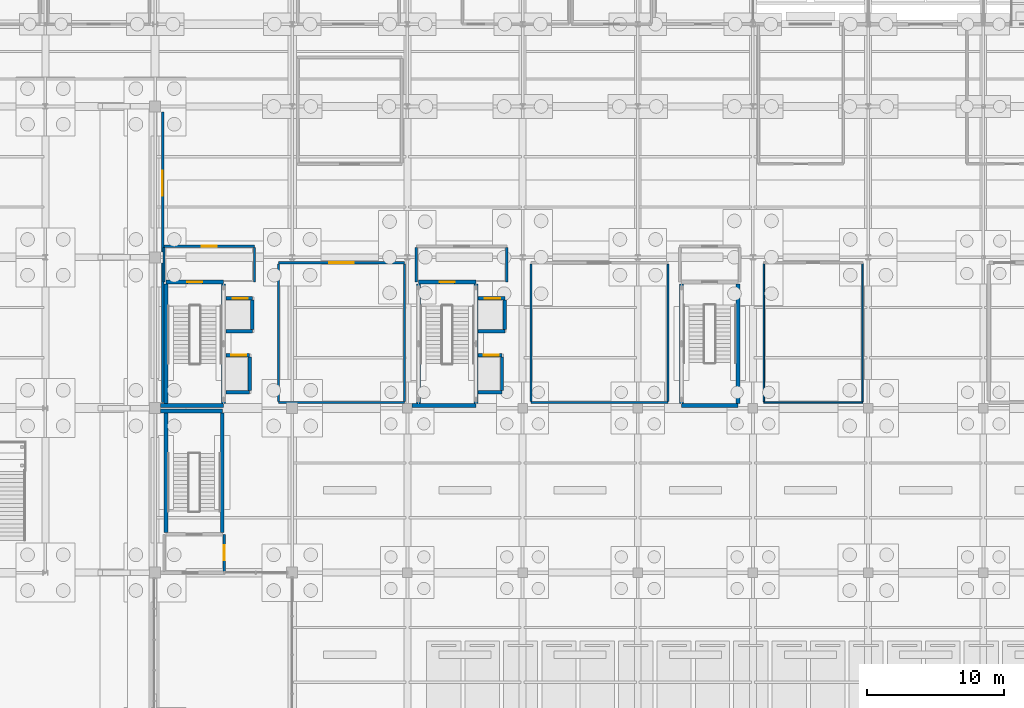
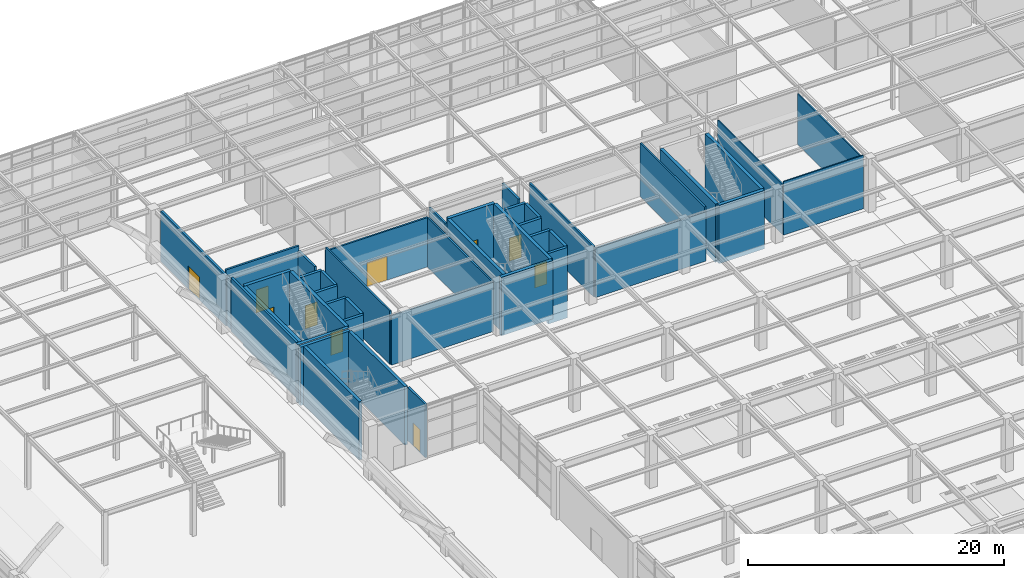
# One storey, part 105 of 129: 44 walls, 10 doors, 10 openings.
"""IFC4 building model written with IfcOpenShell, lengths in metres."""

import ifcopenshell
import ifcopenshell.guid

model = None  # the IFC model being written
_history = None  # IfcOwnerHistory: only IFC2X3 demands one
_inside = {}  # id of a spatial element -> (the spatial element, [elements in it])
_under = {}  # id of a project, library or spatial element -> (it, [spatial elements below it])
_declared = {}  # id of a project -> (the project, [libraries it declares])
_typed = {}  # id of a type object -> (the type object, [elements of that type])
_made_of = {}  # id of a material, layer set ... -> (it, [elements and type objects made of it])


def new_model(schema):
    """Start an empty IFC model of exactly this schema.

    Asked for "IFC4X3", IfcOpenShell would pick the latest addendum, in which some entities
    have other attributes; the version numbers below select the first issue.
    IFC2X3 requires an IfcOwnerHistory on every rooted entity: one is made here for all.
    """
    global model, _history
    if schema == "IFC4X3":
        model = ifcopenshell.file(schema_version=(4, 3, 0, 0))
    else:
        model = ifcopenshell.file(schema=schema)
    _inside.clear()
    _under.clear()
    _declared.clear()
    _typed.clear()
    _made_of.clear()
    _history = None
    if model.schema == "IFC2X3":
        org = make("IfcOrganization", Name="unknown")
        user = make(
            "IfcPersonAndOrganization",
            ThePerson=make("IfcPerson", FamilyName="unknown"),
            TheOrganization=org,
        )
        app = make(
            "IfcApplication",
            ApplicationDeveloper=org,
            Version="unknown",
            ApplicationFullName="unknown",
            ApplicationIdentifier="unknown",
        )
        _history = make(
            "IfcOwnerHistory",
            OwningUser=user,
            OwningApplication=app,
            ChangeAction="ADDED",
            CreationDate=0,
        )
    return model


def make(cls, **values):
    """One entity of the class cls with the attributes given. An attribute that is None is left unset."""
    return model.create_entity(
        cls, **{name: value for name, value in values.items() if value is not None}
    )


def rooted(cls, **values):
    """An entity with a GlobalId (a new one), such as an element, a storey or a relation."""
    return make(cls, GlobalId=ifcopenshell.guid.new(), OwnerHistory=_history, **values)


def si_unit(unit_type, name, prefix=None):
    """IfcSIUnit, for example si_unit("LENGTHUNIT", "METRE", prefix="MILLI")."""
    return make("IfcSIUnit", UnitType=unit_type, Prefix=prefix, Name=name)


def assignment(units):
    """IfcUnitAssignment: the units of a project."""
    return None if units is None else make("IfcUnitAssignment", Units=units)


def point(xyz):
    """IfcCartesianPoint."""
    return None if xyz is None else make("IfcCartesianPoint", Coordinates=xyz)


def direction(xyz):
    """IfcDirection."""
    return None if xyz is None else make("IfcDirection", DirectionRatios=xyz)


def frame(location, z_axis=None, x_axis=None):
    """IfcAxis2Placement3D, a coordinate frame: its origin and axes. An axis left out is left unset."""
    return make(
        "IfcAxis2Placement3D",
        Location=point(location),
        Axis=direction(z_axis),
        RefDirection=direction(x_axis),
    )


def frame_2d(location, x_axis=None):
    """IfcAxis2Placement2D, a coordinate frame in the plane: its origin and x axis."""
    return make(
        "IfcAxis2Placement2D", Location=point(location), RefDirection=direction(x_axis)
    )


def origin():
    """The frame at (0, 0, 0) with its axes left unset."""
    return frame((0.0, 0.0, 0.0))


def place(relative_to, where):
    """IfcLocalPlacement: puts the frame where relative to a parent placement (None: the world)."""
    return make(
        "IfcLocalPlacement", PlacementRelTo=relative_to, RelativePlacement=where
    )


def context(
    kind, dimensions, precision=None, world=None, true_north=None, identifier=None
):
    """IfcGeometricRepresentationContext, for example the 3D "Model" context."""
    return make(
        "IfcGeometricRepresentationContext",
        ContextIdentifier=identifier,
        ContextType=kind,
        CoordinateSpaceDimension=dimensions,
        Precision=precision,
        WorldCoordinateSystem=world,
        TrueNorth=true_north,
    )


def subcontext(parent, identifier, kind, view, scale=None):
    """IfcGeometricRepresentationSubContext, for example "Body" below "Model"."""
    return make(
        "IfcGeometricRepresentationSubContext",
        ContextIdentifier=identifier,
        ContextType=kind,
        ParentContext=parent,
        TargetScale=scale,
        TargetView=view,
    )


def project(units=None, contexts=None):
    """IfcProject with its units and contexts."""
    return rooted(
        "IfcProject",
        Name="project",
        RepresentationContexts=contexts,
        UnitsInContext=assignment(units),
    )


def spatial(cls, under=None, at=None, **own):
    """A site, building, storey or space (cls), placed at a placement, below another one or the project."""
    s = rooted(cls, ObjectPlacement=at, **own)
    if under is not None:
        _under.setdefault(under.id(), (under, []))[1].append(s)
    return s


def profile(cls, at=None, kind="AREA", **sizes):
    """A parametric profile (cls). Its sizes go by their IFC names, for example OverallWidth=200.0."""
    return make(cls, ProfileType=kind, Position=at, **sizes)


def rectangle(**sizes):
    """IfcRectangleProfileDef."""
    return profile("IfcRectangleProfileDef", **sizes)


def extrude(swept, where, along, depth):
    """IfcExtrudedAreaSolid: the profile swept, set in the frame where, extruded along a direction by depth."""
    return make(
        "IfcExtrudedAreaSolid",
        SweptArea=swept,
        Position=where,
        ExtrudedDirection=direction(along),
        Depth=depth,
    )


def shape(context_of_items, identifier, shape_type, items):
    """IfcShapeRepresentation: the items that make up one representation, for example the "Body"."""
    return make(
        "IfcShapeRepresentation",
        ContextOfItems=context_of_items,
        RepresentationIdentifier=identifier,
        RepresentationType=shape_type,
        Items=items,
    )


def material(Name=None, Category=None):
    """IfcMaterial."""
    return make("IfcMaterial", Name=Name, Category=Category)


def layer(
    of_material, thickness, ventilated=None, Name=None, Category=None, Priority=None
):
    """IfcMaterialLayer: one layer of a wall or slab, of a material (None: an air gap)."""
    return make(
        "IfcMaterialLayer",
        Material=of_material,
        LayerThickness=thickness,
        IsVentilated=ventilated,
        Name=Name,
        Category=Category,
        Priority=Priority,
    )


def layer_set(layers, Name=None):
    """IfcMaterialLayerSet."""
    return make("IfcMaterialLayerSet", MaterialLayers=layers, LayerSetName=Name)


def made_of(thing, what):
    """Note that an element or type object is made of a material, layer set ...; save() writes the relation."""
    if what is not None:
        _made_of.setdefault(what.id(), (what, []))[1].append(thing)
    return thing


def type_object(cls, material=None, **own):
    """A type object (cls), such as IfcWallType, which elements share."""
    return made_of(rooted(cls, **own), material)


def element(
    cls,
    number,
    at=None,
    inside=None,
    cuts=None,
    type_object=None,
    material=None,
    context=None,
    identifier="Body",
    shape_type=None,
    held_by="IfcProductDefinitionShape",
    body=None,
    shapes=None,
    **own,
):
    """One element of the class cls, such as IfcWall. Its Tag is "e" and its number.

    at: its placement. inside: the storey or other place that contains it. cuts: it is an
    opening in that element (IfcRelVoidsElement). A single representation is given by context,
    identifier, shape_type and body (its items); several are given by shapes. held_by: the class
    of the entity that holds the representations. save() writes the other relations.
    """
    e = rooted(cls, Tag="e%d" % number, ObjectPlacement=at, **own)
    if body is not None:
        shapes = [shape(context, identifier, shape_type, body)]
    if shapes is not None:
        e.Representation = make(held_by, Representations=shapes)
    if inside is not None:
        _inside.setdefault(inside.id(), (inside, []))[1].append(e)
    if cuts is not None:
        rooted(
            "IfcRelVoidsElement", RelatingBuildingElement=cuts, RelatedOpeningElement=e
        )
    if type_object is not None:
        _typed.setdefault(type_object.id(), (type_object, []))[1].append(e)
    return made_of(e, material)


def fill(opening, filler):
    """IfcRelFillsElement: the door or window that sits in an opening."""
    return rooted(
        "IfcRelFillsElement",
        RelatingOpeningElement=opening,
        RelatedBuildingElement=filler,
    )


def aggregate(whole, parts):
    """IfcRelAggregates: a whole, such as a stair, and the parts it consists of."""
    return rooted("IfcRelAggregates", RelatingObject=whole, RelatedObjects=parts)


def save(model, path):
    """Write the relations noted so far, then the file.

    IfcRelAggregates (storeys below a building ...), IfcRelContainedInSpatialStructure (elements
    in a storey), IfcRelDefinesByType, IfcRelAssociatesMaterial and IfcRelDeclares: one each for
    every whole, place, type object, material and project.
    """
    for whole, parts in _under.values():
        aggregate(whole, parts)
    for where, things in _inside.values():
        rooted(
            "IfcRelContainedInSpatialStructure",
            RelatedElements=things,
            RelatingStructure=where,
        )
    for kind, things in _typed.values():
        rooted("IfcRelDefinesByType", RelatedObjects=things, RelatingType=kind)
    for what, things in _made_of.values():
        rooted("IfcRelAssociatesMaterial", RelatedObjects=things, RelatingMaterial=what)
    for by, libraries in _declared.values():
        rooted("IfcRelDeclares", RelatingContext=by, RelatedDefinitions=libraries)
    model.write(path)


model = new_model("IFC4")

# Units and contexts
model_context = context("Model", 3, precision=1e-05, world=origin(), true_north=direction((0.0, 1.0)))
body_context = subcontext(model_context, "Body", "Model", "MODEL_VIEW")
ifc_project = project(units=[si_unit("LENGTHUNIT", "METRE"), si_unit("AREAUNIT", "SQUARE_METRE"), si_unit("VOLUMEUNIT", "CUBIC_METRE"), si_unit("PLANEANGLEUNIT", "RADIAN"), si_unit("MASSUNIT", "GRAM", prefix="KILO")], contexts=[model_context])

# Site, building, storey
site_placement = place(None, origin())
site = spatial("IfcSite", under=ifc_project, at=site_placement, CompositionType="ELEMENT")
building_placement = place(site_placement, origin())
building = spatial("IfcBuilding", under=site, at=building_placement, Name="Sitalva Quay Ferry Terminal", CompositionType="ELEMENT")
storey_placement = place(building_placement, origin())
storey = spatial("IfcBuildingStorey", under=building, at=storey_placement, Name="L01", CompositionType="ELEMENT", Elevation=0.0)

# Walls
ifc_material_1 = material(Name="Concrete C40/50", Category="concrete")
ifc_layer_1 = layer(ifc_material_1, 0.280029296875)
ifc_layer_set_1 = layer_set([ifc_layer_1], Name="Concrete C40/50")
wall_type_1 = type_object("IfcWallType", Name="Wall_CoreShear_280", PredefinedType="SHEAR", material=ifc_layer_set_1)
wall_1_placement = place(storey_placement, frame((74.39990234375, 77.800048828125, -0.449951171875), z_axis=(0.0, 0.0, 1.0), x_axis=(1.0, 0.0, 0.0)))
element("IfcWall", 1, at=wall_1_placement, inside=storey, type_object=wall_type_1, Name="Core C11 L01 north shear wall", PredefinedType="SHEAR", context=body_context, shape_type="SweptSolid", body=[
    extrude(rectangle(XDim=4.5, YDim=0.280029296875, at=frame_2d((2.25, 0.0))), origin(), (0.0, 0.0, 1.0), 5.570068359375),
])
for number, where, z_axis, x_axis, name in (
    (2, (74.800048828125, 68.93994140625, -0.449951171875), (0.0, 0.0, 1.0), (0.0, 1.0, 0.0), "Core C11 L01 west shear wall"),
    (3, (78.89990234375, 68.93994140625, -0.449951171875), (0.0, 0.0, 1.0), (0.0, 1.0, 0.0), "Core C11 L01 east shear wall"),
):
    element("IfcWall", number, at=place(storey_placement, frame(where, z_axis=z_axis, x_axis=x_axis)), inside=storey, type_object=wall_type_1, Name=name, PredefinedType="SHEAR", context=body_context, shape_type="SweptSolid", body=[
        extrude(rectangle(XDim=8.719970703125, YDim=0.280029296875, at=frame_2d((4.35986328125, 0.0))), origin(), (0.0, 0.0, 1.0), 5.570068359375),
    ])
ifc_material_2 = material(Name="Concrete C40/50", Category="concrete")
ifc_layer_2 = layer(ifc_material_2, 0.300048828125)
ifc_layer_set_2 = layer_set([ifc_layer_2], Name="Concrete C40/50")
wall_type_2 = type_object("IfcWallType", Name="Wall_CoreShear_300", PredefinedType="SHEAR", material=ifc_layer_set_2)
wall_2_placement = place(storey_placement, frame((74.39990234375, 78.199951171875, -0.449951171875), z_axis=(0.0, 0.0, 1.0), x_axis=(1.0, 0.0, 0.0)))
element("IfcWall", 4, at=wall_2_placement, inside=storey, type_object=wall_type_2, Name="Core C1 L01 south shear wall", PredefinedType="SHEAR", context=body_context, shape_type="SweptSolid", body=[
    extrude(rectangle(XDim=4.60009765625, YDim=0.300048828125, at=frame_2d((2.300048828125, 0.0))), origin(), (0.0, 0.0, 1.0), 5.570068359375),
])

# Wall, opening, door
wall_3_placement = place(storey_placement, frame((74.800048828125, 87.199951171875, -0.449951171875), z_axis=(0.0, 0.0, 1.0), x_axis=(1.0, 0.0, 0.0)))
wall_3 = element("IfcWall", 5, at=wall_3_placement, inside=storey, type_object=wall_type_2, Name="Core C1 L01 north shear wall", PredefinedType="SHEAR", context=body_context, shape_type="SweptSolid", body=[
    extrude(rectangle(XDim=4.199951171875, YDim=0.300048828125, at=frame_2d((2.10009765625, 0.0))), origin(), (0.0, 0.0, 1.0), 5.570068359375),
])
opening_1_placement = place(wall_3_placement, frame((1.550048828125, 0.0, 0.449951171875)))
opening_1 = element("IfcOpeningElement", 6, at=opening_1_placement, cuts=wall_3, Name="Opening D-L01-001", PredefinedType="OPENING", context=body_context, shape_type="SweptSolid", body=[
    extrude(rectangle(XDim=1.10009765625, YDim=2.199951171875, at=frame_2d((0.550048828125, 1.10009765625))), frame((0.0, 0.159912109375, 0.0), z_axis=(0.0, -1.0, 0.0), x_axis=(1.0, 0.0, 0.0)), (0.0, 0.0, 1.0), 0.320068359375),
])
ifc_material_3 = material(Name="Galvanised Steel Fire Door", Category="steel")
door_type_1 = type_object("IfcDoorType", Name="Door_CoreExit_1100x2200", OperationType="SINGLE_SWING_LEFT", PredefinedType="DOOR", material=ifc_material_3)
door_1_placement = place(opening_1_placement, origin())
door_1 = element("IfcDoor", 7, at=door_1_placement, inside=storey, type_object=door_type_1, Name="DOOR-D-L01-001 Protected stair ST-01 door D-L01-001", OperationType="SINGLE_SWING_LEFT", OverallHeight=2.199951171875, OverallWidth=1.10009765625, PredefinedType="DOOR", context=body_context, shape_type="SweptSolid", body=[
    extrude(rectangle(XDim=1.10009765625, YDim=2.199951171875, at=frame_2d((0.550048828125, 1.10009765625))), frame((0.0, 0.02490234375, 0.0), z_axis=(0.0, -1.0, 0.0), x_axis=(1.0, 0.0, 0.0)), (0.0, 0.0, 1.0), 0.050048828125),
])
fill(opening_1, door_1)

# Walls
for number, where, z_axis, x_axis, name in (
    (8, (74.800048828125, 78.35009765625, -0.449951171875), (0.0, 0.0, 1.0), (0.0, 1.0, 0.0), "Core C1 L01 west shear wall"),
    (9, (79.0, 78.35009765625, -0.449951171875), (0.0, 0.0, 1.0), (0.0, 1.0, 0.0), "Core C1 L01 east shear wall"),
):
    element("IfcWall", number, at=place(storey_placement, frame(where, z_axis=z_axis, x_axis=x_axis)), inside=storey, type_object=wall_type_2, Name=name, PredefinedType="SHEAR", context=body_context, shape_type="SweptSolid", body=[
        extrude(rectangle(XDim=8.699951171875, YDim=0.300048828125, at=frame_2d((4.35009765625, 0.0))), origin(), (0.0, 0.0, 1.0), 5.570068359375),
    ])
wall_4_placement = place(storey_placement, frame((92.75, 78.199951171875, -0.449951171875), z_axis=(0.0, 0.0, 1.0), x_axis=(1.0, 0.0, 0.0)))
element("IfcWall", 10, at=wall_4_placement, inside=storey, type_object=wall_type_2, Name="Core C2 L01 south shear wall", PredefinedType="SHEAR", context=body_context, shape_type="SweptSolid", body=[
    extrude(rectangle(XDim=4.64990234375, YDim=0.300048828125, at=frame_2d((2.324951171875, 0.0))), origin(), (0.0, 0.0, 1.0), 5.570068359375),
])

# Wall, opening, door
wall_5_placement = place(storey_placement, frame((93.199951171875, 87.199951171875, -0.449951171875), z_axis=(0.0, 0.0, 1.0), x_axis=(1.0, 0.0, 0.0)))
wall_5 = element("IfcWall", 11, at=wall_5_placement, inside=storey, type_object=wall_type_2, Name="Core C2 L01 north shear wall", PredefinedType="SHEAR", context=body_context, shape_type="SweptSolid", body=[
    extrude(rectangle(XDim=4.199951171875, YDim=0.300048828125, at=frame_2d((2.10009765625, 0.0))), origin(), (0.0, 0.0, 1.0), 5.570068359375),
])
opening_2_placement = place(wall_5_placement, frame((1.550048828125, 0.0, 0.449951171875)))
opening_2 = element("IfcOpeningElement", 12, at=opening_2_placement, cuts=wall_5, Name="Opening D-L01-006", PredefinedType="OPENING", context=body_context, shape_type="SweptSolid", body=[
    extrude(rectangle(XDim=1.10009765625, YDim=2.199951171875, at=frame_2d((0.550048828125, 1.10009765625))), frame((0.0, 0.159912109375, 0.0), z_axis=(0.0, -1.0, 0.0), x_axis=(1.0, 0.0, 0.0)), (0.0, 0.0, 1.0), 0.320068359375),
])
door_2_placement = place(opening_2_placement, origin())
door_2 = element("IfcDoor", 13, at=door_2_placement, inside=storey, type_object=door_type_1, Name="DOOR-D-L01-006 Protected stair ST-02 door D-L01-006", OperationType="SINGLE_SWING_RIGHT", OverallHeight=2.199951171875, OverallWidth=1.10009765625, PredefinedType="DOOR", context=body_context, shape_type="SweptSolid", body=[
    extrude(rectangle(XDim=1.10009765625, YDim=2.199951171875, at=frame_2d((0.550048828125, 1.10009765625))), frame((0.0, 0.02490234375, 0.0), z_axis=(0.0, -1.0, 0.0), x_axis=(1.0, 0.0, 0.0)), (0.0, 0.0, 1.0), 0.050048828125),
])
fill(opening_2, door_2)

# Walls
for number, where, z_axis, x_axis, name in (
    (14, (93.199951171875, 78.35009765625, -0.449951171875), (0.0, 0.0, 1.0), (0.0, 1.0, 0.0), "Core C2 L01 west shear wall"),
    (15, (97.39990234375, 78.35009765625, -0.449951171875), (0.0, 0.0, 1.0), (0.0, 1.0, 0.0), "Core C2 L01 east shear wall"),
):
    element("IfcWall", number, at=place(storey_placement, frame(where, z_axis=z_axis, x_axis=x_axis)), inside=storey, type_object=wall_type_2, Name=name, PredefinedType="SHEAR", context=body_context, shape_type="SweptSolid", body=[
        extrude(rectangle(XDim=8.699951171875, YDim=0.300048828125, at=frame_2d((4.35009765625, 0.0))), origin(), (0.0, 0.0, 1.0), 5.570068359375),
    ])
wall_6_placement = place(storey_placement, frame((112.39990234375, 78.199951171875, -0.449951171875), z_axis=(0.0, 0.0, 1.0), x_axis=(1.0, 0.0, 0.0)))
element("IfcWall", 16, at=wall_6_placement, inside=storey, type_object=wall_type_2, Name="Core C4 L01 south shear wall", PredefinedType="SHEAR", context=body_context, shape_type="SweptSolid", body=[
    extrude(rectangle(XDim=4.10009765625, YDim=0.300048828125, at=frame_2d((2.050048828125, 0.0))), origin(), (0.0, 0.0, 1.0), 5.570068359375),
])
for number, where, z_axis, x_axis, name in (
    (17, (112.39990234375, 78.35009765625, -0.449951171875), (0.0, 0.0, 1.0), (0.0, 1.0, 0.0), "Core C4 L01 west shear wall"),
    (18, (116.5, 78.35009765625, -0.449951171875), (0.0, 0.0, 1.0), (0.0, 1.0, 0.0), "Core C4 L01 east shear wall"),
):
    element("IfcWall", number, at=place(storey_placement, frame(where, z_axis=z_axis, x_axis=x_axis)), inside=storey, type_object=wall_type_2, Name=name, PredefinedType="SHEAR", context=body_context, shape_type="SweptSolid", body=[
        extrude(rectangle(XDim=8.699951171875, YDim=0.300048828125, at=frame_2d((4.35009765625, 0.0))), origin(), (0.0, 0.0, 1.0), 5.570068359375),
    ])
ifc_material_4 = material(Name="Concrete Blockwork C25/30", Category="masonry")
ifc_layer_3 = layer(ifc_material_4, 0.199951171875)
ifc_layer_set_3 = layer_set([ifc_layer_3], Name="Concrete Blockwork C25/30")
wall_type_3 = type_object("IfcWallType", Name="Wall_FireComp_200", PredefinedType="SOLIDWALL", material=ifc_layer_set_3)
wall_7_placement = place(storey_placement, frame((74.550048828125, 78.39990234375, 0.0), z_axis=(0.0, 0.0, 1.0), x_axis=(0.0, 1.0, 0.0)))
element("IfcWall", 19, at=wall_7_placement, inside=storey, type_object=wall_type_3, Name="V1 east hall-to-wing wall IW-L01-0114", PredefinedType="SOLIDWALL", context=body_context, shape_type="SweptSolid", body=[
    extrude(rectangle(XDim=10.2001953125, YDim=0.199951171875, at=frame_2d((5.10009765625, 0.0))), origin(), (0.0, 0.0, 1.0), 5.1201171875),
])

# Wall, opening, door
wall_8_placement = place(storey_placement, frame((74.550048828125, 89.39990234375, 0.0), z_axis=(0.0, 0.0, 1.0), x_axis=(0.0, 1.0, 0.0)))
wall_8 = element("IfcWall", 20, at=wall_8_placement, inside=storey, type_object=wall_type_3, Name="V1 east hall-to-wing wall IW-L01-0116", PredefinedType="SOLIDWALL", context=body_context, shape_type="SweptSolid", body=[
    extrude(rectangle(XDim=10.2001953125, YDim=0.199951171875, at=frame_2d((5.10009765625, 0.0))), origin(), (0.0, 0.0, 1.0), 4.806884765625),
])
opening_3_placement = place(wall_8_placement, frame((4.10009765625, 0.0, 0.0)))
opening_3 = element("IfcOpeningElement", 21, at=opening_3_placement, cuts=wall_8, Name="Opening ID-L01-041", PredefinedType="OPENING", context=body_context, shape_type="SweptSolid", body=[
    extrude(rectangle(XDim=1.800048828125, YDim=2.199951171875, at=frame_2d((0.89990234375, 1.10009765625))), frame((0.0, 0.10986328125, 0.0), z_axis=(0.0, -1.0, 0.0), x_axis=(1.0, 0.0, 0.0)), (0.0, 0.0, 1.0), 0.219970703125),
])
ifc_material_5 = material(Name="Glazed Steel Fire Door", Category="steel")
door_type_2 = type_object("IfcDoorType", Name="Door_FireCorridor_1800x2200", OperationType="DOUBLE_DOOR_SINGLE_SWING", PredefinedType="DOOR", material=ifc_material_5)
door_3_placement = place(opening_3_placement, origin())
door_3 = element("IfcDoor", 22, at=door_3_placement, inside=storey, type_object=door_type_2, Name="IDOOR-ID-L01-041 V1 east concourse portal ID-L01-041", OperationType="DOUBLE_DOOR_SINGLE_SWING", OverallHeight=2.199951171875, OverallWidth=1.800048828125, PredefinedType="DOOR", context=body_context, shape_type="SweptSolid", body=[
    extrude(rectangle(XDim=1.800048828125, YDim=2.199951171875, at=frame_2d((0.89990234375, 1.10009765625))), frame((0.0, 0.02490234375, 0.0), z_axis=(0.0, -1.0, 0.0), x_axis=(1.0, 0.0, 0.0)), (0.0, 0.0, 1.0), 0.050048828125),
])
fill(opening_3, door_3)

ifc_material_6 = material(Name="Fire-Rated Blockwork C25/30", Category="masonry")
ifc_layer_4 = layer(ifc_material_6, 0.179931640625)
ifc_layer_set_4 = layer_set([ifc_layer_4], Name="Fire-Rated Blockwork C25/30")
wall_type_4 = type_object("IfcWallType", Name="Wall_FireLobby_180", PredefinedType="SOLIDWALL", material=ifc_layer_set_4)
wall_9_placement = place(storey_placement, frame((74.64990234375, 89.800048828125, 0.0), z_axis=(0.0, 0.0, 1.0), x_axis=(1.0, 0.0, 0.0)))
wall_9 = element("IfcWall", 23, at=wall_9_placement, inside=storey, type_object=wall_type_4, Name="Firefighting & Lift Lobby C1 N wall IW-L01-0001", PredefinedType="SOLIDWALL", context=body_context, shape_type="SweptSolid", body=[
    extrude(rectangle(XDim=6.60009765625, YDim=0.179931640625, at=frame_2d((3.300048828125, 0.0))), origin(), (0.0, 0.0, 1.0), 5.10009765625),
])
opening_4_placement = place(wall_9_placement, frame((2.75, 0.0, 0.0)))
opening_4 = element("IfcOpeningElement", 24, at=opening_4_placement, cuts=wall_9, Name="Opening ID-L01-001", PredefinedType="OPENING", context=body_context, shape_type="SweptSolid", body=[
    extrude(rectangle(XDim=1.10009765625, YDim=2.199951171875, at=frame_2d((0.550048828125, 1.10009765625))), frame((0.0, 0.099853515625, 0.0), z_axis=(0.0, -1.0, 0.0), x_axis=(1.0, 0.0, 0.0)), (0.0, 0.0, 1.0), 0.199951171875),
])
ifc_material_7 = material(Name="Steel Fire Door", Category="steel")
door_type_3 = type_object("IfcDoorType", Name="Door_FireLobby_1100x2200", OperationType="SINGLE_SWING_LEFT", PredefinedType="DOOR", material=ifc_material_7)
door_4_placement = place(opening_4_placement, origin())
door_4 = element("IfcDoor", 25, at=door_4_placement, inside=storey, type_object=door_type_3, Name="IDOOR-ID-L01-001 Firefighting & Lift Lobby C1 entrance ID-L01-001", OperationType="SINGLE_SWING_LEFT", OverallHeight=2.199951171875, OverallWidth=1.10009765625, PredefinedType="DOOR", context=body_context, shape_type="SweptSolid", body=[
    extrude(rectangle(XDim=1.10009765625, YDim=2.199951171875, at=frame_2d((0.550048828125, 1.10009765625))), frame((0.0, 0.02490234375, 0.0), z_axis=(0.0, -1.0, 0.0), x_axis=(1.0, 0.0, 0.0)), (0.0, 0.0, 1.0), 0.050048828125),
])
fill(opening_4, door_4)

# Walls
for number, where, z_axis, x_axis, name in (
    (26, (74.64990234375, 87.199951171875, 0.0), (0.0, 0.0, 1.0), (0.0, 1.0, 0.0), "Firefighting & Lift Lobby C1 W wall IW-L01-0002"),
    (27, (81.25, 87.199951171875, 0.0), (0.0, 0.0, 1.0), (0.0, 1.0, 0.0), "Firefighting & Lift Lobby C1 E wall IW-L01-0003"),
    (28, (93.050048828125, 87.199951171875, 0.0), (0.0, 0.0, 1.0), (0.0, 1.0, 0.0), "Firefighting & Lift Lobby C2 W wall IW-L01-0017"),
    (29, (99.64990234375, 87.199951171875, 0.0), (0.0, 0.0, 1.0), (0.0, 1.0, 0.0), "Firefighting & Lift Lobby C2 E wall IW-L01-0018"),
):
    element("IfcWall", number, at=place(storey_placement, frame(where, z_axis=z_axis, x_axis=x_axis)), inside=storey, type_object=wall_type_4, Name=name, PredefinedType="SOLIDWALL", context=body_context, shape_type="SweptSolid", body=[
        extrude(rectangle(XDim=2.510009765625, YDim=0.179931640625, at=frame_2d((1.2548828125, 0.0))), origin(), (0.0, 0.0, 1.0), 4.659912109375),
    ])

# Wall, opening, door
wall_10_placement = place(storey_placement, frame((79.050048828125, 66.080078125, 0.0), z_axis=(0.0, 0.0, 1.0), x_axis=(0.0, 1.0, 0.0)))
wall_10 = element("IfcWall", 30, at=wall_10_placement, inside=storey, type_object=wall_type_4, Name="Firefighting & Lift Lobby C11 E wall IW-L01-0098", PredefinedType="SOLIDWALL", context=body_context, shape_type="SweptSolid", body=[
    extrude(rectangle(XDim=2.719970703125, YDim=0.179931640625, at=frame_2d((1.35986328125, 0.0))), origin(), (0.0, 0.0, 1.0), 5.10009765625),
])
opening_5_placement = place(wall_10_placement, frame((0.81005859375, 0.0, 0.0)))
opening_5 = element("IfcOpeningElement", 31, at=opening_5_placement, cuts=wall_10, Name="Opening ID-L01-033", PredefinedType="OPENING", context=body_context, shape_type="SweptSolid", body=[
    extrude(rectangle(XDim=1.10009765625, YDim=2.199951171875, at=frame_2d((0.550048828125, 1.10009765625))), frame((0.0, 0.099853515625, 0.0), z_axis=(0.0, -1.0, 0.0), x_axis=(1.0, 0.0, 0.0)), (0.0, 0.0, 1.0), 0.199951171875),
])
door_5_placement = place(opening_5_placement, origin())
door_5 = element("IfcDoor", 32, at=door_5_placement, inside=storey, type_object=door_type_3, Name="IDOOR-ID-L01-033 Firefighting & Lift Lobby C11 entrance ID-L01-033", OperationType="SINGLE_SWING_LEFT", OverallHeight=2.199951171875, OverallWidth=1.10009765625, PredefinedType="DOOR", context=body_context, shape_type="SweptSolid", body=[
    extrude(rectangle(XDim=1.10009765625, YDim=2.199951171875, at=frame_2d((0.550048828125, 1.10009765625))), frame((0.0, 0.02490234375, 0.0), z_axis=(0.0, -1.0, 0.0), x_axis=(1.0, 0.0, 0.0)), (0.0, 0.0, 1.0), 0.050048828125),
])
fill(opening_5, door_5)

# Wall
ifc_material_8 = material(Name="Concrete C35/45", Category="concrete")
ifc_layer_5 = layer(ifc_material_8, 0.25)
ifc_layer_set_5 = layer_set([ifc_layer_5], Name="Concrete C35/45")
wall_type_5 = type_object("IfcWallType", Name="Wall_LiftShaft_250", PredefinedType="SOLIDWALL", material=ifc_layer_set_5)
wall_11_placement = place(storey_placement, frame((79.155029296875, 79.14990234375, -1.60009765625), z_axis=(0.0, 0.0, 1.0), x_axis=(1.0, 0.0, 0.0)))
element("IfcWall", 33, at=wall_11_placement, inside=storey, type_object=wall_type_5, Name="Lift LF-01 L01 south shaft wall", PredefinedType="SOLIDWALL", context=body_context, shape_type="SweptSolid", body=[
    extrude(rectangle(XDim=1.744873046875, YDim=0.25, at=frame_2d((0.87255859375, 0.0))), origin(), (0.0, 0.0, 1.0), 6.72021484375),
])

# Wall, opening, door
wall_12_placement = place(storey_placement, frame((79.155029296875, 81.85009765625, -1.60009765625), z_axis=(0.0, 0.0, 1.0), x_axis=(1.0, 0.0, 0.0)))
wall_12 = element("IfcWall", 34, at=wall_12_placement, inside=storey, type_object=wall_type_5, Name="Lift LF-01 L01 north shaft wall", PredefinedType="SOLIDWALL", context=body_context, shape_type="SweptSolid", body=[
    extrude(rectangle(XDim=1.744873046875, YDim=0.25, at=frame_2d((0.87255859375, 0.0))), origin(), (0.0, 0.0, 1.0), 6.72021484375),
])
opening_6_placement = place(wall_12_placement, frame((0.39990234375, 0.0, 1.60009765625)))
opening_6 = element("IfcOpeningElement", 35, at=opening_6_placement, cuts=wall_12, Name="Opening LD-LF-01-L01", PredefinedType="OPENING", context=body_context, shape_type="SweptSolid", body=[
    extrude(rectangle(XDim=1.10009765625, YDim=2.199951171875, at=frame_2d((0.550048828125, 1.10009765625))), frame((0.0, 0.135009765625, 0.0), z_axis=(0.0, -1.0, 0.0), x_axis=(1.0, 0.0, 0.0)), (0.0, 0.0, 1.0), 0.27001953125),
])
ifc_material_9 = material(Name="Stainless Steel 316L Fire Landing Door", Category="steel")
door_type_4 = type_object("IfcDoorType", Name="Door_LiftLanding_1100x2200", OperationType="SLIDING_TO_LEFT", PredefinedType="DOOR", material=ifc_material_9)
door_6_placement = place(opening_6_placement, origin())
door_6 = element("IfcDoor", 36, at=door_6_placement, inside=storey, type_object=door_type_4, Name="DOOR-LD-LF-01-L01 Lift LF-01 sliding landing door LD-LF-01-L01", OperationType="SLIDING_TO_LEFT", OverallHeight=2.199951171875, OverallWidth=1.10009765625, PredefinedType="DOOR", context=body_context, shape_type="SweptSolid", body=[
    extrude(rectangle(XDim=1.10009765625, YDim=2.199951171875, at=frame_2d((0.550048828125, 1.10009765625))), frame((0.0, 0.02490234375, 0.0), z_axis=(0.0, -1.0, 0.0), x_axis=(1.0, 0.0, 0.0)), (0.0, 0.0, 1.0), 0.050048828125),
])
fill(opening_6, door_6)

# Walls
wall_13_placement = place(storey_placement, frame((80.89990234375, 79.27490234375, -1.60009765625), z_axis=(0.0, 0.0, 1.0), x_axis=(0.0, 1.0, 0.0)))
element("IfcWall", 37, at=wall_13_placement, inside=storey, type_object=wall_type_5, Name="Lift LF-01 L01 east shaft wall", PredefinedType="SOLIDWALL", context=body_context, shape_type="SweptSolid", body=[
    extrude(rectangle(XDim=2.4501953125, YDim=0.25, at=frame_2d((1.22509765625, 0.0))), origin(), (0.0, 0.0, 1.0), 6.72021484375),
])
wall_14_placement = place(storey_placement, frame((79.155029296875, 83.60009765625, -1.60009765625), z_axis=(0.0, 0.0, 1.0), x_axis=(1.0, 0.0, 0.0)))
element("IfcWall", 38, at=wall_14_placement, inside=storey, type_object=wall_type_5, Name="Lift LF-03 L01 south shaft wall", PredefinedType="SOLIDWALL", context=body_context, shape_type="SweptSolid", body=[
    extrude(rectangle(XDim=1.945068359375, YDim=0.25, at=frame_2d((0.97265625, 0.0))), origin(), (0.0, 0.0, 1.0), 6.72021484375),
])

# Wall, opening, door
wall_15_placement = place(storey_placement, frame((79.155029296875, 86.0, -1.60009765625), z_axis=(0.0, 0.0, 1.0), x_axis=(1.0, 0.0, 0.0)))
wall_15 = element("IfcWall", 39, at=wall_15_placement, inside=storey, type_object=wall_type_5, Name="Lift LF-03 L01 north shaft wall", PredefinedType="SOLIDWALL", context=body_context, shape_type="SweptSolid", body=[
    extrude(rectangle(XDim=1.945068359375, YDim=0.25, at=frame_2d((0.97265625, 0.0))), origin(), (0.0, 0.0, 1.0), 6.72021484375),
])
opening_7_placement = place(wall_15_placement, frame((0.5, 0.0, 1.60009765625)))
opening_7 = element("IfcOpeningElement", 40, at=opening_7_placement, cuts=wall_15, Name="Opening LD-LF-03-L01", PredefinedType="OPENING", context=body_context, shape_type="SweptSolid", body=[
    extrude(rectangle(XDim=1.10009765625, YDim=2.199951171875, at=frame_2d((0.550048828125, 1.10009765625))), frame((0.0, 0.135009765625, 0.0), z_axis=(0.0, -1.0, 0.0), x_axis=(1.0, 0.0, 0.0)), (0.0, 0.0, 1.0), 0.27001953125),
])
door_7_placement = place(opening_7_placement, origin())
door_7 = element("IfcDoor", 41, at=door_7_placement, inside=storey, type_object=door_type_4, Name="DOOR-LD-LF-03-L01 Lift LF-03 sliding landing door LD-LF-03-L01", OperationType="SLIDING_TO_LEFT", OverallHeight=2.199951171875, OverallWidth=1.10009765625, PredefinedType="DOOR", context=body_context, shape_type="SweptSolid", body=[
    extrude(rectangle(XDim=1.10009765625, YDim=2.199951171875, at=frame_2d((0.550048828125, 1.10009765625))), frame((0.0, 0.02490234375, 0.0), z_axis=(0.0, -1.0, 0.0), x_axis=(1.0, 0.0, 0.0)), (0.0, 0.0, 1.0), 0.050048828125),
])
fill(opening_7, door_7)

# Walls
wall_16_placement = place(storey_placement, frame((81.10009765625, 83.72509765625, -1.60009765625), z_axis=(0.0, 0.0, 1.0), x_axis=(0.0, 1.0, 0.0)))
element("IfcWall", 42, at=wall_16_placement, inside=storey, type_object=wall_type_5, Name="Lift LF-03 L01 east shaft wall", PredefinedType="SOLIDWALL", context=body_context, shape_type="SweptSolid", body=[
    extrude(rectangle(XDim=2.14990234375, YDim=0.25, at=frame_2d((1.074951171875, 0.0))), origin(), (0.0, 0.0, 1.0), 6.72021484375),
])
wall_17_placement = place(storey_placement, frame((97.554931640625, 79.14990234375, -1.60009765625), z_axis=(0.0, 0.0, 1.0), x_axis=(1.0, 0.0, 0.0)))
element("IfcWall", 43, at=wall_17_placement, inside=storey, type_object=wall_type_5, Name="Lift LF-02 L01 south shaft wall", PredefinedType="SOLIDWALL", context=body_context, shape_type="SweptSolid", body=[
    extrude(rectangle(XDim=1.7451171875, YDim=0.25, at=frame_2d((0.87255859375, 0.0))), origin(), (0.0, 0.0, 1.0), 6.72021484375),
])

# Wall, opening, door
wall_18_placement = place(storey_placement, frame((97.554931640625, 81.85009765625, -1.60009765625), z_axis=(0.0, 0.0, 1.0), x_axis=(1.0, 0.0, 0.0)))
wall_18 = element("IfcWall", 44, at=wall_18_placement, inside=storey, type_object=wall_type_5, Name="Lift LF-02 L01 north shaft wall", PredefinedType="SOLIDWALL", context=body_context, shape_type="SweptSolid", body=[
    extrude(rectangle(XDim=1.7451171875, YDim=0.25, at=frame_2d((0.87255859375, 0.0))), origin(), (0.0, 0.0, 1.0), 6.72021484375),
])
opening_8_placement = place(wall_18_placement, frame((0.39990234375, 0.0, 1.60009765625)))
opening_8 = element("IfcOpeningElement", 45, at=opening_8_placement, cuts=wall_18, Name="Opening LD-LF-02-L01", PredefinedType="OPENING", context=body_context, shape_type="SweptSolid", body=[
    extrude(rectangle(XDim=1.10009765625, YDim=2.199951171875, at=frame_2d((0.550048828125, 1.10009765625))), frame((0.0, 0.135009765625, 0.0), z_axis=(0.0, -1.0, 0.0), x_axis=(1.0, 0.0, 0.0)), (0.0, 0.0, 1.0), 0.27001953125),
])
door_8_placement = place(opening_8_placement, origin())
door_8 = element("IfcDoor", 46, at=door_8_placement, inside=storey, type_object=door_type_4, Name="DOOR-LD-LF-02-L01 Lift LF-02 sliding landing door LD-LF-02-L01", OperationType="SLIDING_TO_LEFT", OverallHeight=2.199951171875, OverallWidth=1.10009765625, PredefinedType="DOOR", context=body_context, shape_type="SweptSolid", body=[
    extrude(rectangle(XDim=1.10009765625, YDim=2.199951171875, at=frame_2d((0.550048828125, 1.10009765625))), frame((0.0, 0.02490234375, 0.0), z_axis=(0.0, -1.0, 0.0), x_axis=(1.0, 0.0, 0.0)), (0.0, 0.0, 1.0), 0.050048828125),
])
fill(opening_8, door_8)

# Walls
wall_19_placement = place(storey_placement, frame((99.300048828125, 79.27490234375, -1.60009765625), z_axis=(0.0, 0.0, 1.0), x_axis=(0.0, 1.0, 0.0)))
element("IfcWall", 47, at=wall_19_placement, inside=storey, type_object=wall_type_5, Name="Lift LF-02 L01 east shaft wall", PredefinedType="SOLIDWALL", context=body_context, shape_type="SweptSolid", body=[
    extrude(rectangle(XDim=2.4501953125, YDim=0.25, at=frame_2d((1.22509765625, 0.0))), origin(), (0.0, 0.0, 1.0), 6.72021484375),
])
wall_20_placement = place(storey_placement, frame((97.554931640625, 83.60009765625, -1.60009765625), z_axis=(0.0, 0.0, 1.0), x_axis=(1.0, 0.0, 0.0)))
element("IfcWall", 48, at=wall_20_placement, inside=storey, type_object=wall_type_5, Name="Lift LF-04 L01 south shaft wall", PredefinedType="SOLIDWALL", context=body_context, shape_type="SweptSolid", body=[
    extrude(rectangle(XDim=1.945068359375, YDim=0.25, at=frame_2d((0.97265625, 0.0))), origin(), (0.0, 0.0, 1.0), 6.72021484375),
])

# Wall, opening, door
wall_21_placement = place(storey_placement, frame((97.554931640625, 86.0, -1.60009765625), z_axis=(0.0, 0.0, 1.0), x_axis=(1.0, 0.0, 0.0)))
wall_21 = element("IfcWall", 49, at=wall_21_placement, inside=storey, type_object=wall_type_5, Name="Lift LF-04 L01 north shaft wall", PredefinedType="SOLIDWALL", context=body_context, shape_type="SweptSolid", body=[
    extrude(rectangle(XDim=1.945068359375, YDim=0.25, at=frame_2d((0.97265625, 0.0))), origin(), (0.0, 0.0, 1.0), 6.72021484375),
])
opening_9_placement = place(wall_21_placement, frame((0.5, 0.0, 1.60009765625)))
opening_9 = element("IfcOpeningElement", 50, at=opening_9_placement, cuts=wall_21, Name="Opening LD-LF-04-L01", PredefinedType="OPENING", context=body_context, shape_type="SweptSolid", body=[
    extrude(rectangle(XDim=1.10009765625, YDim=2.199951171875, at=frame_2d((0.550048828125, 1.10009765625))), frame((0.0, 0.135009765625, 0.0), z_axis=(0.0, -1.0, 0.0), x_axis=(1.0, 0.0, 0.0)), (0.0, 0.0, 1.0), 0.27001953125),
])
door_9_placement = place(opening_9_placement, origin())
door_9 = element("IfcDoor", 51, at=door_9_placement, inside=storey, type_object=door_type_4, Name="DOOR-LD-LF-04-L01 Lift LF-04 sliding landing door LD-LF-04-L01", OperationType="SLIDING_TO_LEFT", OverallHeight=2.199951171875, OverallWidth=1.10009765625, PredefinedType="DOOR", context=body_context, shape_type="SweptSolid", body=[
    extrude(rectangle(XDim=1.10009765625, YDim=2.199951171875, at=frame_2d((0.550048828125, 1.10009765625))), frame((0.0, 0.02490234375, 0.0), z_axis=(0.0, -1.0, 0.0), x_axis=(1.0, 0.0, 0.0)), (0.0, 0.0, 1.0), 0.050048828125),
])
fill(opening_9, door_9)

# Walls
wall_22_placement = place(storey_placement, frame((99.5, 83.72509765625, -1.60009765625), z_axis=(0.0, 0.0, 1.0), x_axis=(0.0, 1.0, 0.0)))
element("IfcWall", 52, at=wall_22_placement, inside=storey, type_object=wall_type_5, Name="Lift LF-04 L01 east shaft wall", PredefinedType="SOLIDWALL", context=body_context, shape_type="SweptSolid", body=[
    extrude(rectangle(XDim=2.14990234375, YDim=0.25, at=frame_2d((1.074951171875, 0.0))), origin(), (0.0, 0.0, 1.0), 6.72021484375),
])
ifc_material_10 = material(Name="Lightweight Steel-Stud Gypsum Partition", Category="steel")
ifc_layer_6 = layer(ifc_material_10, 0.114990234375)
ifc_layer_set_6 = layer_set([ifc_layer_6], Name="Lightweight Steel-Stud Gypsum Partition")
wall_type_6 = type_object("IfcWallType", Name="Wall_Partition_115", PredefinedType="PARTITIONING", material=ifc_layer_set_6)
wall_23_placement = place(storey_placement, frame((118.39990234375, 78.39990234375, 0.0), z_axis=(0.0, 0.0, 1.0), x_axis=(1.0, 0.0, 0.0)))
element("IfcWall", 53, at=wall_23_placement, inside=storey, type_object=wall_type_6, Name="Covered Cycle Hub & Crew Lockers S wall IW-L01-0197", PredefinedType="PARTITIONING", context=body_context, shape_type="SweptSolid", body=[
    extrude(rectangle(XDim=7.2001953125, YDim=0.114990234375, at=frame_2d((3.60009765625, 0.0))), origin(), (0.0, 0.0, 1.0), 5.10009765625),
])
for number, where, z_axis, x_axis, name in (
    (54, (118.39990234375, 78.45751953125, 0.0), (0.0, 0.0, 1.0), (0.0, 1.0, 0.0), "Covered Cycle Hub & Crew Lockers W wall IW-L01-0199"),
    (55, (125.60009765625, 78.45751953125, 0.0), (0.0, 0.0, 1.0), (0.0, 1.0, 0.0), "Covered Cycle Hub & Crew Lockers E wall IW-L01-0200"),
):
    element("IfcWall", number, at=place(storey_placement, frame(where, z_axis=z_axis, x_axis=x_axis)), inside=storey, type_object=wall_type_6, Name=name, PredefinedType="PARTITIONING", context=body_context, shape_type="SweptSolid", body=[
        extrude(rectangle(XDim=10.0849609375, YDim=0.114990234375, at=frame_2d((5.04248046875, 0.0))), origin(), (0.0, 0.0, 1.0), 4.806884765625),
    ])
ifc_material_11 = material(Name="Acoustic Twin-Stud Gypsum Partition", Category="gypsum")
ifc_layer_7 = layer(ifc_material_11, 0.14990234375)
ifc_layer_set_7 = layer_set([ifc_layer_7], Name="Acoustic Twin-Stud Gypsum Partition")
wall_type_7 = type_object("IfcWallType", Name="Wall_Partition_150", PredefinedType="PARTITIONING", material=ifc_layer_set_7)
wall_24_placement = place(storey_placement, frame((83.0, 78.39990234375, 0.0), z_axis=(0.0, 0.0, 1.0), x_axis=(1.0, 0.0, 0.0)))
element("IfcWall", 56, at=wall_24_placement, inside=storey, type_object=wall_type_7, Name="Maritime Bookshop & Travel Pharmacy S wall IW-L01-0164", PredefinedType="PARTITIONING", context=body_context, shape_type="SweptSolid", body=[
    extrude(rectangle(XDim=9.199951171875, YDim=0.14990234375, at=frame_2d((4.60009765625, 0.0))), origin(), (0.0, 0.0, 1.0), 4.702880859375),
])

# Wall, opening, door
wall_25_placement = place(storey_placement, frame((83.0, 88.60009765625, 0.0), z_axis=(0.0, 0.0, 1.0), x_axis=(1.0, 0.0, 0.0)))
wall_25 = element("IfcWall", 57, at=wall_25_placement, inside=storey, type_object=wall_type_7, Name="Maritime Bookshop & Travel Pharmacy N wall IW-L01-0165", PredefinedType="PARTITIONING", context=body_context, shape_type="SweptSolid", body=[
    extrude(rectangle(XDim=9.199951171875, YDim=0.14990234375, at=frame_2d((4.60009765625, 0.0))), origin(), (0.0, 0.0, 1.0), 4.702880859375),
])
opening_10_placement = place(wall_25_placement, frame((3.699951171875, 0.0, 0.0)))
opening_10 = element("IfcOpeningElement", 58, at=opening_10_placement, cuts=wall_25, Name="Opening ID-L01-060", PredefinedType="OPENING", context=body_context, shape_type="SweptSolid", body=[
    extrude(rectangle(XDim=1.800048828125, YDim=2.300048828125, at=frame_2d((0.89990234375, 1.14990234375))), frame((0.0, 0.0849609375, 0.0), z_axis=(0.0, -1.0, 0.0), x_axis=(1.0, 0.0, 0.0)), (0.0, 0.0, 1.0), 0.169921875),
])
ifc_material_12 = material(Name="Anodised Aluminium & Toughened Glass", Category="aluminium")
door_type_5 = type_object("IfcDoorType", Name="Door_Retail_1800x2300", OperationType="DOUBLE_DOOR_SINGLE_SWING", PredefinedType="DOOR", material=ifc_material_12)
door_10_placement = place(opening_10_placement, origin())
door_10 = element("IfcDoor", 59, at=door_10_placement, inside=storey, type_object=door_type_5, Name="IDOOR-ID-L01-060 Maritime Bookshop & Travel Pharmacy entrance ID-L01-060", OperationType="DOUBLE_DOOR_SINGLE_SWING", OverallHeight=2.300048828125, OverallWidth=1.800048828125, PredefinedType="DOOR", context=body_context, shape_type="SweptSolid", body=[
    extrude(rectangle(XDim=1.800048828125, YDim=2.300048828125, at=frame_2d((0.89990234375, 1.14990234375))), frame((0.0, 0.02490234375, 0.0), z_axis=(0.0, -1.0, 0.0), x_axis=(1.0, 0.0, 0.0)), (0.0, 0.0, 1.0), 0.050048828125),
])
fill(opening_10, door_10)

# Walls
wall_26_placement = place(storey_placement, frame((83.0, 78.47509765625, 0.0), z_axis=(0.0, 0.0, 1.0), x_axis=(0.0, 1.0, 0.0)))
element("IfcWall", 60, at=wall_26_placement, inside=storey, type_object=wall_type_7, Name="Maritime Bookshop & Travel Pharmacy W wall IW-L01-0166", PredefinedType="PARTITIONING", context=body_context, shape_type="SweptSolid", body=[
    extrude(rectangle(XDim=10.0498046875, YDim=0.14990234375, at=frame_2d((5.02490234375, 0.0))), origin(), (0.0, 0.0, 1.0), 5.10009765625),
])
wall_27_placement = place(storey_placement, frame((92.199951171875, 78.47509765625, 0.0), z_axis=(0.0, 0.0, 1.0), x_axis=(0.0, 1.0, 0.0)))
element("IfcWall", 61, at=wall_27_placement, inside=storey, type_object=wall_type_7, Name="Maritime Bookshop & Travel Pharmacy E wall IW-L01-0167", PredefinedType="PARTITIONING", context=body_context, shape_type="SweptSolid", body=[
    extrude(rectangle(XDim=10.0498046875, YDim=0.14990234375, at=frame_2d((5.02490234375, 0.0))), origin(), (0.0, 0.0, 1.0), 4.702880859375),
])
wall_28_placement = place(storey_placement, frame((101.39990234375, 78.39990234375, 0.0), z_axis=(0.0, 0.0, 1.0), x_axis=(1.0, 0.0, 0.0)))
element("IfcWall", 62, at=wall_28_placement, inside=storey, type_object=wall_type_7, Name="Quayside Tea House & Bakery S wall IW-L01-0168", PredefinedType="PARTITIONING", context=body_context, shape_type="SweptSolid", body=[
    extrude(rectangle(XDim=10.0, YDim=0.14990234375, at=frame_2d((5.0, 0.0))), origin(), (0.0, 0.0, 1.0), 4.702880859375),
])
wall_29_placement = place(storey_placement, frame((101.39990234375, 78.47509765625, 0.0), z_axis=(0.0, 0.0, 1.0), x_axis=(0.0, 1.0, 0.0)))
element("IfcWall", 63, at=wall_29_placement, inside=storey, type_object=wall_type_7, Name="Quayside Tea House & Bakery W wall IW-L01-0170", PredefinedType="PARTITIONING", context=body_context, shape_type="SweptSolid", body=[
    extrude(rectangle(XDim=10.0498046875, YDim=0.14990234375, at=frame_2d((5.02490234375, 0.0))), origin(), (0.0, 0.0, 1.0), 4.806884765625),
])
wall_30_placement = place(storey_placement, frame((111.39990234375, 78.47509765625, 0.0), z_axis=(0.0, 0.0, 1.0), x_axis=(0.0, 1.0, 0.0)))
element("IfcWall", 64, at=wall_30_placement, inside=storey, type_object=wall_type_7, Name="Quayside Tea House & Bakery E wall IW-L01-0171", PredefinedType="PARTITIONING", context=body_context, shape_type="SweptSolid", body=[
    extrude(rectangle(XDim=10.0498046875, YDim=0.14990234375, at=frame_2d((5.02490234375, 0.0))), origin(), (0.0, 0.0, 1.0), 5.10009765625),
])

save(model, "model.ifc")
